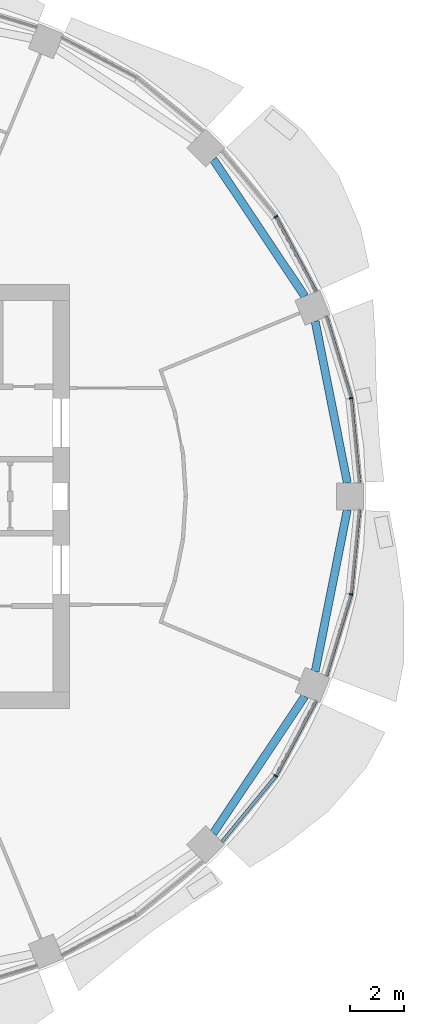
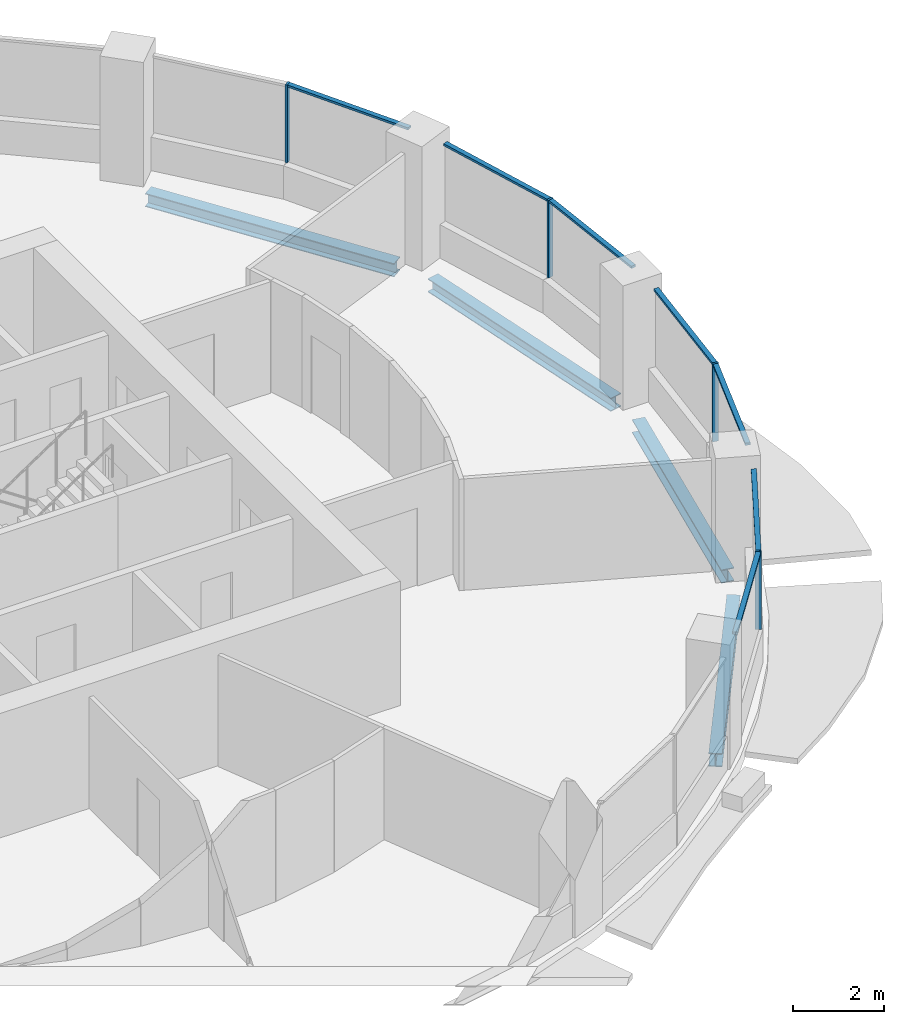
# One storey, part 5 of 14: 11 members, 4 beams, 4 elements without a shape of their own.
"""IFC4 building model written with IfcOpenShell, lengths in metres."""

from ifc_helpers import new_model, si_unit, direction, frame, origin, origin_2d, place, context, subcontext, project, spatial, rectangle, i_section, extrude, material, material_profile, profile_set, type_object, element, aggregate, save


model = new_model("IFC4")

# Units and contexts
model_context = context("Model", 3, precision=1e-05, world=origin(), true_north=direction((0.0, 1.0)))
body_context = subcontext(model_context, "Body", "Model", "MODEL_VIEW")
ifc_project = project(units=[si_unit("LENGTHUNIT", "METRE"), si_unit("AREAUNIT", "SQUARE_METRE"), si_unit("VOLUMEUNIT", "CUBIC_METRE"), si_unit("PLANEANGLEUNIT", "RADIAN"), si_unit("MASSUNIT", "GRAM", prefix="KILO")], contexts=[model_context])

# Site, building, storey
site_placement = place(None, origin())
site = spatial("IfcSite", under=ifc_project, at=site_placement, CompositionType="ELEMENT")
building_placement = place(site_placement, origin())
building = spatial("IfcBuilding", under=site, at=building_placement, Name="Polderwave Tower", CompositionType="ELEMENT")
storey_placement = place(building_placement, frame((0.0, 0.0, 141.050048828125)))
storey = spatial("IfcBuildingStorey", under=building, at=storey_placement, Name="L37", CompositionType="ELEMENT", Elevation=141.050048828125)

# Curtain wall, member
ifc_material_1 = material(Name="Aluminium 6063-T6 and glass", Category="aluminium")
curtain_wall_type = type_object("IfcCurtainWallType", Name="Office ribbon glazing wall", PredefinedType="NOTDEFINED", material=ifc_material_1)
curtain_wall_1_placement = place(storey_placement, origin())
curtain_wall_1 = element("IfcCurtainWall", 1, at=curtain_wall_1_placement, inside=storey, type_object=curtain_wall_type, Name="CW3 L37 00", PredefinedType="NOTDEFINED")
ifc_material_2 = material(Name="Aluminium 6063-T6", Category="aluminium")
ifc_material_profile_1 = material_profile(ifc_material_2, rectangle(XDim=0.139892578125, YDim=0.054931640625, at=origin_2d()), Name="AL 55x140")
ifc_profile_set_1 = profile_set([ifc_material_profile_1], Name="Aluminium 6063-T6")
member_type_1 = type_object("IfcMemberType", Name="Office ribbon glazing mullion 55x140", PredefinedType="MULLION", material=ifc_profile_set_1)
member_1_placement = place(storey_placement, frame((18.341064453125, 3.64794921875, 0.89990234375), z_axis=(0.0, 0.0, 1.0), x_axis=(-0.980764163857, -0.195196452055, 0.0)))
member_1 = element("IfcMember", 2, at=member_1_placement, type_object=member_type_1, Name="CW3 mullion 1", PredefinedType="MULLION", context=body_context, shape_type="SweptSolid", body=[
    extrude(rectangle(XDim=0.139892578125, YDim=0.054931640625, at=origin_2d()), origin(), (0.0, 0.0, 1.0), 2.10009765625),
])

curtain_wall_2_placement = place(storey_placement, origin())
curtain_wall_2 = element("IfcCurtainWall", 3, at=curtain_wall_2_placement, inside=storey, type_object=curtain_wall_type, Name="CW3 L37 01", PredefinedType="NOTDEFINED")
member_2_placement = place(storey_placement, frame((15.548095703125, 10.388916015625, 0.89990234375), z_axis=(0.0, 0.0, 1.0), x_axis=(-0.831508396395, -0.555512184136, 0.0)))
member_2 = element("IfcMember", 4, at=member_2_placement, type_object=member_type_1, Name="CW3 mullion 1", PredefinedType="MULLION", context=body_context, shape_type="SweptSolid", body=[
    extrude(rectangle(XDim=0.139892578125, YDim=0.054931640625, at=origin_2d()), origin(), (0.0, 0.0, 1.0), 2.10009765625),
])

curtain_wall_3_placement = place(storey_placement, origin())
curtain_wall_3 = element("IfcCurtainWall", 5, at=curtain_wall_3_placement, inside=storey, type_object=curtain_wall_type, Name="CW3 L37 14", PredefinedType="NOTDEFINED")
member_3_placement = place(storey_placement, frame((15.548095703125, -10.388916015625, 0.89990234375), z_axis=(0.0, 0.0, 1.0), x_axis=(-0.831508396395, 0.555512184136, 0.0)))
member_3 = element("IfcMember", 6, at=member_3_placement, type_object=member_type_1, Name="CW3 mullion 1", PredefinedType="MULLION", context=body_context, shape_type="SweptSolid", body=[
    extrude(rectangle(XDim=0.139892578125, YDim=0.054931640625, at=origin_2d()), origin(), (0.0, 0.0, 1.0), 2.10009765625),
])

curtain_wall_4_placement = place(storey_placement, origin())
curtain_wall_4 = element("IfcCurtainWall", 7, at=curtain_wall_4_placement, inside=storey, type_object=curtain_wall_type, Name="CW3 L37 15", PredefinedType="NOTDEFINED")
member_4_placement = place(storey_placement, frame((18.341064453125, -3.64794921875, 0.89990234375), z_axis=(0.0, 0.0, 1.0), x_axis=(-0.980764163857, 0.195196452055, 0.0)))
member_4 = element("IfcMember", 8, at=member_4_placement, type_object=member_type_1, Name="CW3 mullion 1", PredefinedType="MULLION", context=body_context, shape_type="SweptSolid", body=[
    extrude(rectangle(XDim=0.139892578125, YDim=0.054931640625, at=origin_2d()), origin(), (0.0, 0.0, 1.0), 2.10009765625),
])

# Member
ifc_material_profile_2 = material_profile(ifc_material_2, rectangle(XDim=0.1201171875, YDim=0.06005859375, at=origin_2d()), Name="AL 60x120")
ifc_profile_set_2 = profile_set([ifc_material_profile_2], Name="Aluminium 6063-T6")
member_type_2 = type_object("IfcMemberType", Name="Office ribbon glazing transom 60x120", PredefinedType="USERDEFINED", material=ifc_profile_set_2)
member_5_placement = place(storey_placement, frame((18.65087890625, 0.5, 2.969970703125), z_axis=(-0.097946420382, 0.995191689442, 0.0), x_axis=(-0.995191689442, -0.097946420382, 0.0)))
member_5 = element("IfcMember", 9, at=member_5_placement, type_object=member_type_2, Name="CW3 transom 1", ObjectType="TRANSOM", PredefinedType="USERDEFINED", context=body_context, shape_type="SweptSolid", body=[
    extrude(rectangle(XDim=0.1201171875, YDim=0.06005859375, at=origin_2d()), origin(), (0.0, 0.0, 1.0), 3.1357421875),
])

member_6_placement = place(storey_placement, frame((18.3330078125, 3.67431640625, 2.969970703125), z_axis=(-0.290467601512, 0.956884827172, 0.0), x_axis=(-0.956884827172, -0.290467601512, 0.0)))
member_6 = element("IfcMember", 10, at=member_6_placement, type_object=member_type_2, Name="CW3 transom 2", ObjectType="TRANSOM", PredefinedType="USERDEFINED", context=body_context, shape_type="SweptSolid", body=[
    extrude(rectangle(XDim=0.1201171875, YDim=0.06005859375, at=origin_2d()), origin(), (0.0, 0.0, 1.0), 3.135986328125),
])

aggregate(curtain_wall_1, [member_1, member_5, member_6])

member_7_placement = place(storey_placement, frame((17.0400390625, 7.59912109375, 2.969970703125), z_axis=(-0.471581867996, 0.881822284691, 0.0), x_axis=(-0.881822284691, -0.471581867996, 0.0)))
member_7 = element("IfcMember", 11, at=member_7_placement, type_object=member_type_2, Name="CW3 transom 1", ObjectType="TRANSOM", PredefinedType="USERDEFINED", context=body_context, shape_type="SweptSolid", body=[
    extrude(rectangle(XDim=0.1201171875, YDim=0.06005859375, at=origin_2d()), origin(), (0.0, 0.0, 1.0), 3.13623046875),
])

aggregate(curtain_wall_2, [member_2, member_7])

member_8_placement = place(storey_placement, frame((13.5419921875, -12.8349609375, 2.969970703125), z_axis=(0.634153141657, 0.773207470816, 0.0), x_axis=(-0.773207470816, 0.634153141657, 0.0)))
member_8 = element("IfcMember", 12, at=member_8_placement, type_object=member_type_2, Name="CW3 transom 1", ObjectType="TRANSOM", PredefinedType="USERDEFINED", context=body_context, shape_type="SweptSolid", body=[
    extrude(rectangle(XDim=0.1201171875, YDim=0.06005859375, at=origin_2d()), origin(), (0.0, 0.0, 1.0), 3.1357421875),
])

member_9_placement = place(storey_placement, frame((15.56103515625, -10.36474609375, 2.969970703125), z_axis=(0.471581867996, 0.881822284691, 0.0), x_axis=(-0.881822284691, 0.471581867996, 0.0)))
member_9 = element("IfcMember", 13, at=member_9_placement, type_object=member_type_2, Name="CW3 transom 2", ObjectType="TRANSOM", PredefinedType="USERDEFINED", context=body_context, shape_type="SweptSolid", body=[
    extrude(rectangle(XDim=0.1201171875, YDim=0.06005859375, at=origin_2d()), origin(), (0.0, 0.0, 1.0), 3.13623046875),
])

aggregate(curtain_wall_3, [member_3, member_8, member_9])

member_10_placement = place(storey_placement, frame((17.422119140625, -6.675048828125, 2.969970703125), z_axis=(0.290467601512, 0.956884827172, 0.0), x_axis=(-0.956884827172, 0.290467601512, 0.0)))
member_10 = element("IfcMember", 14, at=member_10_placement, type_object=member_type_2, Name="CW3 transom 1", ObjectType="TRANSOM", PredefinedType="USERDEFINED", context=body_context, shape_type="SweptSolid", body=[
    extrude(rectangle(XDim=0.1201171875, YDim=0.06005859375, at=origin_2d()), origin(), (0.0, 0.0, 1.0), 3.135986328125),
])

member_11_placement = place(storey_placement, frame((18.34375, -3.62060546875, 2.969970703125), z_axis=(0.097946420382, 0.995191689442, 0.0), x_axis=(-0.995191689442, 0.097946420382, 0.0)))
member_11 = element("IfcMember", 15, at=member_11_placement, type_object=member_type_2, Name="CW3 transom 2", ObjectType="TRANSOM", PredefinedType="USERDEFINED", context=body_context, shape_type="SweptSolid", body=[
    extrude(rectangle(XDim=0.1201171875, YDim=0.06005859375, at=origin_2d()), origin(), (0.0, 0.0, 1.0), 3.1357421875),
])

aggregate(curtain_wall_4, [member_4, member_10, member_11])

# Beams
ifc_material_3 = material(Name="Steel S355", Category="steel")
ifc_material_profile_3 = material_profile(ifc_material_3, i_section(OverallWidth=0.300048828125, OverallDepth=0.360107421875, WebThickness=0.012451171875, FlangeThickness=0.0224609375, at=origin_2d()), Name="HE 360 B")
ifc_profile_set_3 = profile_set([ifc_material_profile_3], Name="Steel S355")
beam_type = type_object("IfcBeamType", Name="RING BEAM HE 360 B", PredefinedType="BEAM", material=ifc_profile_set_3)
beam_1_placement = place(storey_placement, frame((18.200439453125, 0.5, -0.530029296875), z_axis=(-0.195088165617, 0.980785709335, 0.0), x_axis=(-0.980785709335, -0.195088165617, 0.0)))
element("IfcBeam", 16, at=beam_1_placement, inside=storey, type_object=beam_type, Name="ST-RB-L37-00", PredefinedType="BEAM", context=body_context, shape_type="SweptSolid", body=[
    extrude(i_section(OverallWidth=0.300048828125, OverallDepth=0.360107421875, WebThickness=0.012451171875, FlangeThickness=0.0224609375, at=origin_2d()), origin(), (0.0, 0.0, 1.0), 6.120849609375),
])
for number, where, z_axis, x_axis, name in (
    (17, (16.623779296875, 7.427001953125, -0.530029296875), (-0.555565167003, 0.831472997284, 0.0), (-0.831472997284, -0.555565167003, 0.0), "ST-RB-L37-01"),
    (18, (13.223388671875, -12.51611328125, -0.530029296875), (0.555565167003, 0.831472997284, 0.0), (-0.831472997284, 0.555565167003, 0.0), "ST-RB-L37-14"),
):
    element("IfcBeam", number, at=place(storey_placement, frame(where, z_axis=z_axis, x_axis=x_axis)), inside=storey, type_object=beam_type, Name=name, PredefinedType="BEAM", context=body_context, shape_type="SweptSolid", body=[
        extrude(i_section(OverallWidth=0.300048828125, OverallDepth=0.360107421875, WebThickness=0.012451171875, FlangeThickness=0.0224609375, at=origin_2d()), origin(), (0.0, 0.0, 1.0), 6.12060546875),
    ])
beam_2_placement = place(storey_placement, frame((17.00634765625, -6.503173828125, -0.530029296875), z_axis=(0.195088165617, 0.980785709335, 0.0), x_axis=(-0.980785709335, 0.195088165617, 0.0)))
element("IfcBeam", 19, at=beam_2_placement, inside=storey, type_object=beam_type, Name="ST-RB-L37-15", PredefinedType="BEAM", context=body_context, shape_type="SweptSolid", body=[
    extrude(i_section(OverallWidth=0.300048828125, OverallDepth=0.360107421875, WebThickness=0.012451171875, FlangeThickness=0.0224609375, at=origin_2d()), origin(), (0.0, 0.0, 1.0), 6.120849609375),
])

save(model, "model.ifc")
